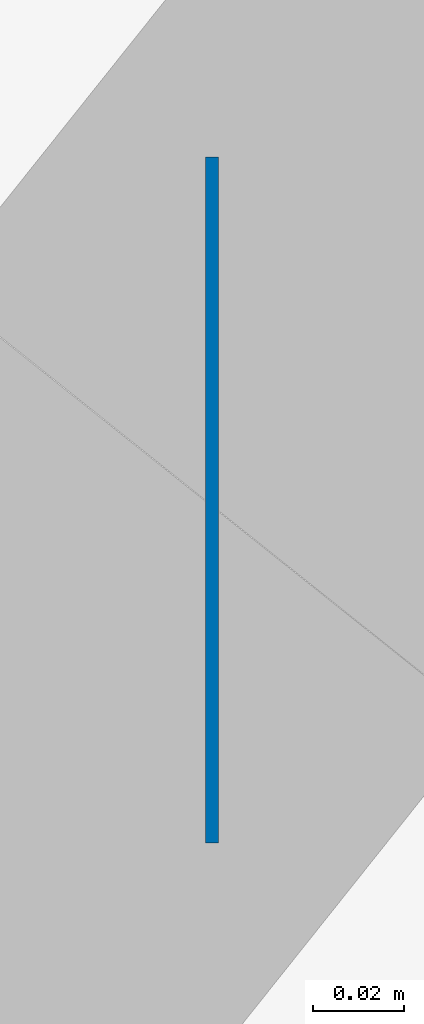
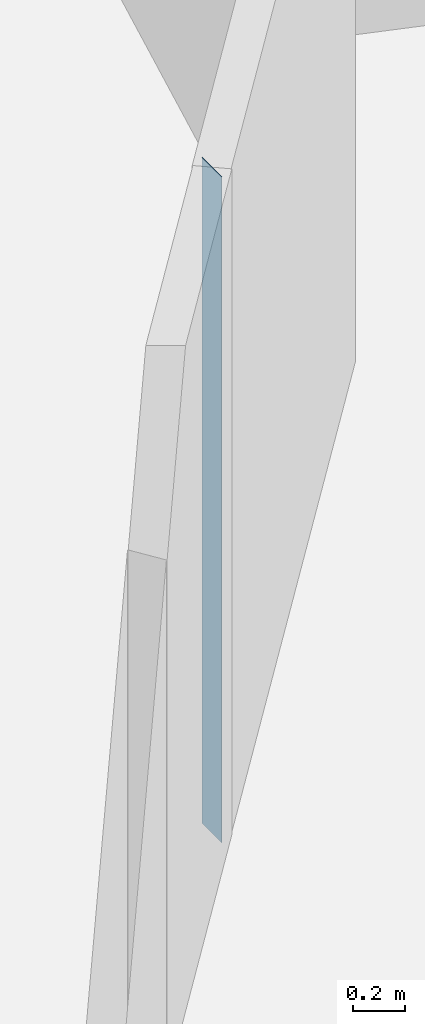
# One storey, part 5 of 13: 1 wall.
"""IFC4 building model written with IfcOpenShell, lengths in metres."""

from ifc_helpers import new_model, si_unit, direction, frame, frame_2d, origin, place, context, subcontext, project, spatial, rectangle, extrude, material, layer, layer_set, type_object, element, save


model = new_model("IFC4")

# Units and contexts
model_context = context("Model", 3, precision=1e-05, world=origin(), true_north=direction((0.0, 1.0)))
body_context = subcontext(model_context, "Body", "Model", "MODEL_VIEW")
ifc_project = project(units=[si_unit("LENGTHUNIT", "METRE"), si_unit("AREAUNIT", "SQUARE_METRE"), si_unit("VOLUMEUNIT", "CUBIC_METRE"), si_unit("PLANEANGLEUNIT", "RADIAN"), si_unit("MASSUNIT", "GRAM", prefix="KILO")], contexts=[model_context])

# Site, building, storey
site_placement = place(None, origin())
site = spatial("IfcSite", under=ifc_project, at=site_placement, CompositionType="ELEMENT")
building_placement = place(site_placement, origin())
building = spatial("IfcBuilding", under=site, at=building_placement, Name="Tracery Tower", CompositionType="ELEMENT")
storey_placement = place(building_placement, frame((0.0, 0.0, 270.60009765625)))
storey = spatial("IfcBuildingStorey", under=building, at=storey_placement, Name="L70", CompositionType="ELEMENT", Elevation=270.60009765625)

# Wall
ifc_material = material(Name="Plasterboard on steel studs", Category="steel")
ifc_layer = layer(ifc_material, 0.14990234375)
ifc_layer_set = layer_set([ifc_layer], Name="Partition 150 corridor wall")
wall_type = type_object("IfcWallType", Name="Partition 150 corridor wall", PredefinedType="PARTITIONING", material=ifc_layer_set)
wall_placement = place(storey_placement, frame((11.136962890625, -8.800048828125, 0.0), z_axis=(0.0, 0.0, 1.0), x_axis=(-1.0, 0.0, 0.0)))
element("IfcWall", 1, at=wall_placement, inside=storey, type_object=wall_type, Name="Corridor wall RC5-018", PredefinedType="PARTITIONING", context=body_context, shape_type="SweptSolid", body=[
    extrude(rectangle(XDim=0.0029296875, YDim=0.14990234375, at=frame_2d((0.00146484375, 0.0))), origin(), (0.0, 0.0, 1.0), 3.099853515625),
])

save(model, "model.ifc")
